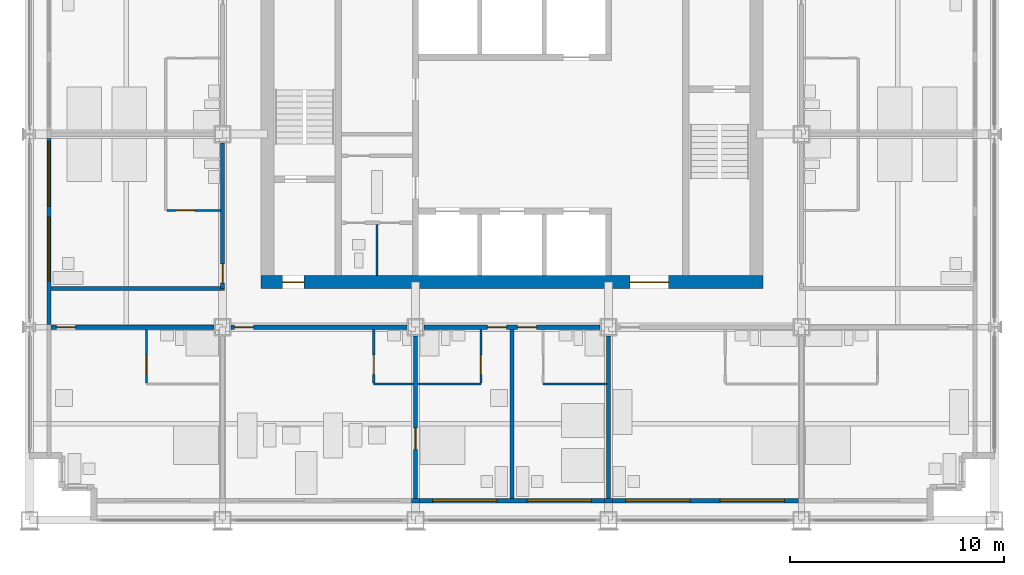
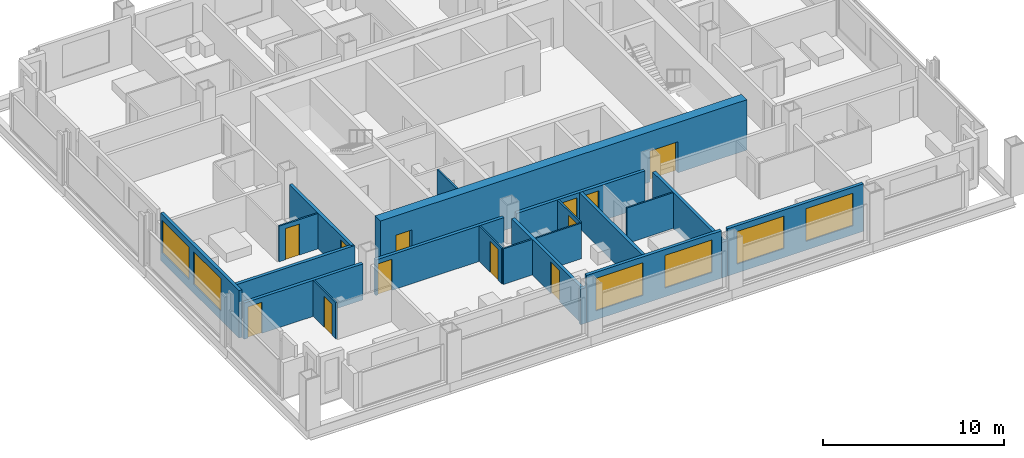
# One storey, part 9 of 16: 22 walls, 12 doors, 6 windows, 18 openings.
"""IFC4 building model written with IfcOpenShell, lengths in metres."""

import ifcopenshell
import ifcopenshell.guid

model = None  # the IFC model being written
_history = None  # IfcOwnerHistory: only IFC2X3 demands one
_inside = {}  # id of a spatial element -> (the spatial element, [elements in it])
_under = {}  # id of a project, library or spatial element -> (it, [spatial elements below it])
_declared = {}  # id of a project -> (the project, [libraries it declares])
_typed = {}  # id of a type object -> (the type object, [elements of that type])
_made_of = {}  # id of a material, layer set ... -> (it, [elements and type objects made of it])


def new_model(schema):
    """Start an empty IFC model of exactly this schema.

    Asked for "IFC4X3", IfcOpenShell would pick the latest addendum, in which some entities
    have other attributes; the version numbers below select the first issue.
    IFC2X3 requires an IfcOwnerHistory on every rooted entity: one is made here for all.
    """
    global model, _history
    if schema == "IFC4X3":
        model = ifcopenshell.file(schema_version=(4, 3, 0, 0))
    else:
        model = ifcopenshell.file(schema=schema)
    _inside.clear()
    _under.clear()
    _declared.clear()
    _typed.clear()
    _made_of.clear()
    _history = None
    if model.schema == "IFC2X3":
        org = make("IfcOrganization", Name="unknown")
        user = make(
            "IfcPersonAndOrganization",
            ThePerson=make("IfcPerson", FamilyName="unknown"),
            TheOrganization=org,
        )
        app = make(
            "IfcApplication",
            ApplicationDeveloper=org,
            Version="unknown",
            ApplicationFullName="unknown",
            ApplicationIdentifier="unknown",
        )
        _history = make(
            "IfcOwnerHistory",
            OwningUser=user,
            OwningApplication=app,
            ChangeAction="ADDED",
            CreationDate=0,
        )
    return model


def make(cls, **values):
    """One entity of the class cls with the attributes given. An attribute that is None is left unset."""
    return model.create_entity(
        cls, **{name: value for name, value in values.items() if value is not None}
    )


def rooted(cls, **values):
    """An entity with a GlobalId (a new one), such as an element, a storey or a relation."""
    return make(cls, GlobalId=ifcopenshell.guid.new(), OwnerHistory=_history, **values)


def si_unit(unit_type, name, prefix=None):
    """IfcSIUnit, for example si_unit("LENGTHUNIT", "METRE", prefix="MILLI")."""
    return make("IfcSIUnit", UnitType=unit_type, Prefix=prefix, Name=name)


def assignment(units):
    """IfcUnitAssignment: the units of a project."""
    return None if units is None else make("IfcUnitAssignment", Units=units)


def point(xyz):
    """IfcCartesianPoint."""
    return None if xyz is None else make("IfcCartesianPoint", Coordinates=xyz)


def direction(xyz):
    """IfcDirection."""
    return None if xyz is None else make("IfcDirection", DirectionRatios=xyz)


def frame(location, z_axis=None, x_axis=None):
    """IfcAxis2Placement3D, a coordinate frame: its origin and axes. An axis left out is left unset."""
    return make(
        "IfcAxis2Placement3D",
        Location=point(location),
        Axis=direction(z_axis),
        RefDirection=direction(x_axis),
    )


def frame_2d(location, x_axis=None):
    """IfcAxis2Placement2D, a coordinate frame in the plane: its origin and x axis."""
    return make(
        "IfcAxis2Placement2D", Location=point(location), RefDirection=direction(x_axis)
    )


def origin():
    """The frame at (0, 0, 0) with its axes left unset."""
    return frame((0.0, 0.0, 0.0))


def place(relative_to, where):
    """IfcLocalPlacement: puts the frame where relative to a parent placement (None: the world)."""
    return make(
        "IfcLocalPlacement", PlacementRelTo=relative_to, RelativePlacement=where
    )


def context(
    kind, dimensions, precision=None, world=None, true_north=None, identifier=None
):
    """IfcGeometricRepresentationContext, for example the 3D "Model" context."""
    return make(
        "IfcGeometricRepresentationContext",
        ContextIdentifier=identifier,
        ContextType=kind,
        CoordinateSpaceDimension=dimensions,
        Precision=precision,
        WorldCoordinateSystem=world,
        TrueNorth=true_north,
    )


def subcontext(parent, identifier, kind, view, scale=None):
    """IfcGeometricRepresentationSubContext, for example "Body" below "Model"."""
    return make(
        "IfcGeometricRepresentationSubContext",
        ContextIdentifier=identifier,
        ContextType=kind,
        ParentContext=parent,
        TargetScale=scale,
        TargetView=view,
    )


def project(units=None, contexts=None):
    """IfcProject with its units and contexts."""
    return rooted(
        "IfcProject",
        Name="project",
        RepresentationContexts=contexts,
        UnitsInContext=assignment(units),
    )


def spatial(cls, under=None, at=None, **own):
    """A site, building, storey or space (cls), placed at a placement, below another one or the project."""
    s = rooted(cls, ObjectPlacement=at, **own)
    if under is not None:
        _under.setdefault(under.id(), (under, []))[1].append(s)
    return s


def profile(cls, at=None, kind="AREA", **sizes):
    """A parametric profile (cls). Its sizes go by their IFC names, for example OverallWidth=200.0."""
    return make(cls, ProfileType=kind, Position=at, **sizes)


def rectangle(**sizes):
    """IfcRectangleProfileDef."""
    return profile("IfcRectangleProfileDef", **sizes)


def extrude(swept, where, along, depth):
    """IfcExtrudedAreaSolid: the profile swept, set in the frame where, extruded along a direction by depth."""
    return make(
        "IfcExtrudedAreaSolid",
        SweptArea=swept,
        Position=where,
        ExtrudedDirection=direction(along),
        Depth=depth,
    )


def shape(context_of_items, identifier, shape_type, items):
    """IfcShapeRepresentation: the items that make up one representation, for example the "Body"."""
    return make(
        "IfcShapeRepresentation",
        ContextOfItems=context_of_items,
        RepresentationIdentifier=identifier,
        RepresentationType=shape_type,
        Items=items,
    )


def material(Name=None, Category=None):
    """IfcMaterial."""
    return make("IfcMaterial", Name=Name, Category=Category)


def layer(
    of_material, thickness, ventilated=None, Name=None, Category=None, Priority=None
):
    """IfcMaterialLayer: one layer of a wall or slab, of a material (None: an air gap)."""
    return make(
        "IfcMaterialLayer",
        Material=of_material,
        LayerThickness=thickness,
        IsVentilated=ventilated,
        Name=Name,
        Category=Category,
        Priority=Priority,
    )


def layer_set(layers, Name=None):
    """IfcMaterialLayerSet."""
    return make("IfcMaterialLayerSet", MaterialLayers=layers, LayerSetName=Name)


def made_of(thing, what):
    """Note that an element or type object is made of a material, layer set ...; save() writes the relation."""
    if what is not None:
        _made_of.setdefault(what.id(), (what, []))[1].append(thing)
    return thing


def type_object(cls, material=None, **own):
    """A type object (cls), such as IfcWallType, which elements share."""
    return made_of(rooted(cls, **own), material)


def element(
    cls,
    number,
    at=None,
    inside=None,
    cuts=None,
    type_object=None,
    material=None,
    context=None,
    identifier="Body",
    shape_type=None,
    held_by="IfcProductDefinitionShape",
    body=None,
    shapes=None,
    **own,
):
    """One element of the class cls, such as IfcWall. Its Tag is "e" and its number.

    at: its placement. inside: the storey or other place that contains it. cuts: it is an
    opening in that element (IfcRelVoidsElement). A single representation is given by context,
    identifier, shape_type and body (its items); several are given by shapes. held_by: the class
    of the entity that holds the representations. save() writes the other relations.
    """
    e = rooted(cls, Tag="e%d" % number, ObjectPlacement=at, **own)
    if body is not None:
        shapes = [shape(context, identifier, shape_type, body)]
    if shapes is not None:
        e.Representation = make(held_by, Representations=shapes)
    if inside is not None:
        _inside.setdefault(inside.id(), (inside, []))[1].append(e)
    if cuts is not None:
        rooted(
            "IfcRelVoidsElement", RelatingBuildingElement=cuts, RelatedOpeningElement=e
        )
    if type_object is not None:
        _typed.setdefault(type_object.id(), (type_object, []))[1].append(e)
    return made_of(e, material)


def fill(opening, filler):
    """IfcRelFillsElement: the door or window that sits in an opening."""
    return rooted(
        "IfcRelFillsElement",
        RelatingOpeningElement=opening,
        RelatedBuildingElement=filler,
    )


def aggregate(whole, parts):
    """IfcRelAggregates: a whole, such as a stair, and the parts it consists of."""
    return rooted("IfcRelAggregates", RelatingObject=whole, RelatedObjects=parts)


def save(model, path):
    """Write the relations noted so far, then the file.

    IfcRelAggregates (storeys below a building ...), IfcRelContainedInSpatialStructure (elements
    in a storey), IfcRelDefinesByType, IfcRelAssociatesMaterial and IfcRelDeclares: one each for
    every whole, place, type object, material and project.
    """
    for whole, parts in _under.values():
        aggregate(whole, parts)
    for where, things in _inside.values():
        rooted(
            "IfcRelContainedInSpatialStructure",
            RelatedElements=things,
            RelatingStructure=where,
        )
    for kind, things in _typed.values():
        rooted("IfcRelDefinesByType", RelatedObjects=things, RelatingType=kind)
    for what, things in _made_of.values():
        rooted("IfcRelAssociatesMaterial", RelatedObjects=things, RelatingMaterial=what)
    for by, libraries in _declared.values():
        rooted("IfcRelDeclares", RelatingContext=by, RelatedDefinitions=libraries)
    model.write(path)


model = new_model("IFC4")

# Units and contexts
model_context = context("Model", 3, precision=1e-05, world=origin(), true_north=direction((0.0, 1.0)))
body_context = subcontext(model_context, "Body", "Model", "MODEL_VIEW")
ifc_project = project(units=[si_unit("LENGTHUNIT", "METRE"), si_unit("AREAUNIT", "SQUARE_METRE"), si_unit("VOLUMEUNIT", "CUBIC_METRE"), si_unit("PLANEANGLEUNIT", "RADIAN"), si_unit("MASSUNIT", "GRAM", prefix="KILO")], contexts=[model_context])

# Site, building, storey
site_placement = place(None, origin())
site = spatial("IfcSite", under=ifc_project, at=site_placement, CompositionType="ELEMENT")
building_placement = place(site_placement, origin())
building = spatial("IfcBuilding", under=site, at=building_placement, Name="Loomwork Tower", CompositionType="ELEMENT")
storey_placement = place(building_placement, frame((0.0, 0.0, 131.60009765625)))
storey = spatial("IfcBuildingStorey", under=building, at=storey_placement, Name="L35", CompositionType="ELEMENT", Elevation=131.60009765625)

# Wall, openings, doors
ifc_material_1 = material(Name="Concrete 14000 psi (97 MPa)", Category="concrete")
ifc_layer_1 = layer(ifc_material_1, 0.60009765625)
ifc_layer_set_1 = layer_set([ifc_layer_1], Name="Core shear wall 600")
wall_type_1 = type_object("IfcWallType", Name="Core shear wall 600", PredefinedType="SHEAR", material=ifc_layer_set_1)
wall_1_placement = place(storey_placement, frame((10.800048828125, 11.10009765625, 0.0), z_axis=(0.0, 0.0, 1.0), x_axis=(1.0, 0.0, 0.0)))
wall_1 = element("IfcWall", 1, at=wall_1_placement, inside=storey, type_object=wall_type_1, Name="Core wall south L35", PredefinedType="SHEAR", context=body_context, shape_type="SweptSolid", body=[
    extrude(rectangle(XDim=23.39990234375, YDim=0.60009765625, at=frame_2d((11.699951171875, 0.0))), origin(), (0.0, 0.0, 1.0), 3.39990234375),
])
opening_1_placement = place(wall_1_placement, frame((1.0, 0.0, 0.0)))
opening_1 = element("IfcOpeningElement", 2, at=opening_1_placement, cuts=wall_1, Name="Opening D4", PredefinedType="OPENING", context=body_context, shape_type="SweptSolid", body=[
    extrude(rectangle(XDim=1.0, YDim=2.10009765625, at=frame_2d((0.5, 1.050048828125))), frame((0.0, 0.31005859375, 0.0), z_axis=(0.0, -1.0, 0.0), x_axis=(1.0, 0.0, 0.0)), (0.0, 0.0, 1.0), 0.6201171875),
])
opening_2_placement = place(wall_1_placement, frame((17.199951171875, 0.0, 0.0)))
opening_2 = element("IfcOpeningElement", 3, at=opening_2_placement, cuts=wall_1, Name="Opening D6", PredefinedType="OPENING", context=body_context, shape_type="SweptSolid", body=[
    extrude(rectangle(XDim=1.800048828125, YDim=2.10009765625, at=frame_2d((0.89990234375, 1.050048828125))), frame((0.0, 0.31005859375, 0.0), z_axis=(0.0, -1.0, 0.0), x_axis=(1.0, 0.0, 0.0)), (0.0, 0.0, 1.0), 0.6201171875),
])
ifc_material_2 = material(Name="Hollow metal door and frame")
door_type_1 = type_object("IfcDoorType", Name="Lobby passage double door 1800", OperationType="DOUBLE_DOOR_SINGLE_SWING", PredefinedType="DOOR", material=ifc_material_2)
door_1_placement = place(opening_2_placement, origin())
door_1 = element("IfcDoor", 4, at=door_1_placement, inside=storey, type_object=door_type_1, Name="Lobby passage door south", OperationType="DOUBLE_DOOR_SINGLE_SWING", OverallHeight=2.10009765625, OverallWidth=1.800048828125, PredefinedType="DOOR", context=body_context, shape_type="SweptSolid", body=[
    extrude(rectangle(XDim=1.800048828125, YDim=2.10009765625, at=frame_2d((0.89990234375, 1.050048828125))), frame((0.0, 0.02490234375, 0.0), z_axis=(0.0, -1.0, 0.0), x_axis=(1.0, 0.0, 0.0)), (0.0, 0.0, 1.0), 0.050048828125),
])
fill(opening_2, door_1)
ifc_material_3 = material(Name="Hollow metal door and frame")
door_type_2 = type_object("IfcDoorType", Name="Stair door 1000", OperationType="SINGLE_SWING_RIGHT", PredefinedType="DOOR", material=ifc_material_3)
door_2_placement = place(opening_1_placement, origin())
door_2 = element("IfcDoor", 5, at=door_2_placement, inside=storey, type_object=door_type_2, Name="Stair A vestibule door", OperationType="SINGLE_SWING_LEFT", OverallHeight=2.10009765625, OverallWidth=1.0, PredefinedType="DOOR", context=body_context, shape_type="SweptSolid", body=[
    extrude(rectangle(XDim=1.0, YDim=2.10009765625, at=frame_2d((0.5, 1.050048828125))), frame((0.0, 0.02490234375, 0.0), z_axis=(0.0, -1.0, 0.0), x_axis=(1.0, 0.0, 0.0)), (0.0, 0.0, 1.0), 0.050048828125),
])
fill(opening_1, door_2)

# Wall, opening, door
ifc_material_4 = material(Name="Gypsum board on steel studs, one-hour", Category="steel")
ifc_layer_2 = layer(ifc_material_4, 0.199951171875)
ifc_layer_set_2 = layer_set([ifc_layer_2], Name="Corridor wall 200")
wall_type_2 = type_object("IfcWallType", Name="Corridor wall 200", PredefinedType="PARTITIONING", material=ifc_layer_set_2)
wall_2_placement = place(storey_placement, frame((1.0, 9.0, 0.0), z_axis=(0.0, 0.0, 1.0), x_axis=(1.0, 0.0, 0.0)))
wall_2 = element("IfcWall", 6, at=wall_2_placement, inside=storey, type_object=wall_type_2, Name="South corridor wall 1", PredefinedType="PARTITIONING", context=body_context, shape_type="SweptSolid", body=[
    extrude(rectangle(XDim=7.60009765625, YDim=0.199951171875, at=frame_2d((3.800048828125, 0.0))), origin(), (0.0, 0.0, 1.0), 2.43798828125),
])
opening_3_placement = place(wall_2_placement, frame((0.25, 0.0, 0.0)))
opening_3 = element("IfcOpeningElement", 7, at=opening_3_placement, cuts=wall_2, Name="Opening D1", PredefinedType="OPENING", context=body_context, shape_type="SweptSolid", body=[
    extrude(rectangle(XDim=0.89990234375, YDim=2.10009765625, at=frame_2d((0.449951171875, 1.050048828125))), frame((0.0, 0.10986328125, 0.0), z_axis=(0.0, -1.0, 0.0), x_axis=(1.0, 0.0, 0.0)), (0.0, 0.0, 1.0), 0.219970703125),
])
ifc_material_5 = material(Name="Hollow metal door and frame")
door_type_3 = type_object("IfcDoorType", Name="Guest room entry door 900", OperationType="SINGLE_SWING_LEFT", PredefinedType="DOOR", material=ifc_material_5)
door_3_placement = place(opening_3_placement, frame((0.89990234375, 0.0, 0.0), z_axis=(0.0, 0.0, 1.0), x_axis=(-1.0, 0.0, 0.0)))
door_3 = element("IfcDoor", 8, at=door_3_placement, inside=storey, type_object=door_type_3, Name="Guest room entry door L35 1", OperationType="SINGLE_SWING_RIGHT", OverallHeight=2.10009765625, OverallWidth=0.89990234375, PredefinedType="DOOR", context=body_context, shape_type="SweptSolid", body=[
    extrude(rectangle(XDim=0.89990234375, YDim=2.10009765625, at=frame_2d((0.449951171875, 1.050048828125))), frame((0.0, 0.02490234375, 0.0), z_axis=(0.0, -1.0, 0.0), x_axis=(1.0, 0.0, 0.0)), (0.0, 0.0, 1.0), 0.050048828125),
])
fill(opening_3, door_3)

wall_3_placement = place(storey_placement, frame((9.39990234375, 9.0, 0.0), z_axis=(0.0, 0.0, 1.0), x_axis=(1.0, 0.0, 0.0)))
wall_3 = element("IfcWall", 9, at=wall_3_placement, inside=storey, type_object=wall_type_2, Name="South corridor wall 2", PredefinedType="PARTITIONING", context=body_context, shape_type="SweptSolid", body=[
    extrude(rectangle(XDim=8.2001953125, YDim=0.199951171875, at=frame_2d((4.10009765625, 0.0))), origin(), (0.0, 0.0, 1.0), 2.40478515625),
])
opening_4_placement = place(wall_3_placement, frame((0.14990234375, 0.0, 0.0)))
opening_4 = element("IfcOpeningElement", 10, at=opening_4_placement, cuts=wall_3, Name="Opening D1", PredefinedType="OPENING", context=body_context, shape_type="SweptSolid", body=[
    extrude(rectangle(XDim=0.89990234375, YDim=2.10009765625, at=frame_2d((0.449951171875, 1.050048828125))), frame((0.0, 0.10986328125, 0.0), z_axis=(0.0, -1.0, 0.0), x_axis=(1.0, 0.0, 0.0)), (0.0, 0.0, 1.0), 0.219970703125),
])
door_4_placement = place(opening_4_placement, frame((0.89990234375, 0.0, 0.0), z_axis=(0.0, 0.0, 1.0), x_axis=(-1.0, 0.0, 0.0)))
door_4 = element("IfcDoor", 11, at=door_4_placement, inside=storey, type_object=door_type_3, Name="Guest room entry door L35 2", OperationType="SINGLE_SWING_RIGHT", OverallHeight=2.10009765625, OverallWidth=0.89990234375, PredefinedType="DOOR", context=body_context, shape_type="SweptSolid", body=[
    extrude(rectangle(XDim=0.89990234375, YDim=2.10009765625, at=frame_2d((0.449951171875, 1.050048828125))), frame((0.0, 0.02490234375, 0.0), z_axis=(0.0, -1.0, 0.0), x_axis=(1.0, 0.0, 0.0)), (0.0, 0.0, 1.0), 0.050048828125),
])
fill(opening_4, door_4)

# Wall, openings, doors
wall_4_placement = place(storey_placement, frame((18.39990234375, 9.0, 0.0), z_axis=(0.0, 0.0, 1.0), x_axis=(1.0, 0.0, 0.0)))
wall_4 = element("IfcWall", 12, at=wall_4_placement, inside=storey, type_object=wall_type_2, Name="South corridor wall 3", PredefinedType="PARTITIONING", context=body_context, shape_type="SweptSolid", body=[
    extrude(rectangle(XDim=8.2001953125, YDim=0.199951171875, at=frame_2d((4.10009765625, 0.0))), origin(), (0.0, 0.0, 1.0), 2.40478515625),
])
opening_5_placement = place(wall_4_placement, frame((2.949951171875, 0.0, 0.0)))
opening_5 = element("IfcOpeningElement", 13, at=opening_5_placement, cuts=wall_4, Name="Opening D1", PredefinedType="OPENING", context=body_context, shape_type="SweptSolid", body=[
    extrude(rectangle(XDim=0.89990234375, YDim=2.10009765625, at=frame_2d((0.449951171875, 1.050048828125))), frame((0.0, 0.10986328125, 0.0), z_axis=(0.0, -1.0, 0.0), x_axis=(1.0, 0.0, 0.0)), (0.0, 0.0, 1.0), 0.219970703125),
])
opening_6_placement = place(wall_4_placement, frame((4.35009765625, 0.0, 0.0)))
opening_6 = element("IfcOpeningElement", 14, at=opening_6_placement, cuts=wall_4, Name="Opening D1", PredefinedType="OPENING", context=body_context, shape_type="SweptSolid", body=[
    extrude(rectangle(XDim=0.89990234375, YDim=2.10009765625, at=frame_2d((0.449951171875, 1.050048828125))), frame((0.0, 0.10986328125, 0.0), z_axis=(0.0, -1.0, 0.0), x_axis=(1.0, 0.0, 0.0)), (0.0, 0.0, 1.0), 0.219970703125),
])
door_5_placement = place(opening_5_placement, frame((0.89990234375, 0.0, 0.0), z_axis=(0.0, 0.0, 1.0), x_axis=(-1.0, 0.0, 0.0)))
door_5 = element("IfcDoor", 15, at=door_5_placement, inside=storey, type_object=door_type_3, Name="Guest room entry door L35 3", OperationType="SINGLE_SWING_LEFT", OverallHeight=2.10009765625, OverallWidth=0.89990234375, PredefinedType="DOOR", context=body_context, shape_type="SweptSolid", body=[
    extrude(rectangle(XDim=0.89990234375, YDim=2.10009765625, at=frame_2d((0.449951171875, 1.050048828125))), frame((0.0, 0.02490234375, 0.0), z_axis=(0.0, -1.0, 0.0), x_axis=(1.0, 0.0, 0.0)), (0.0, 0.0, 1.0), 0.050048828125),
])
fill(opening_5, door_5)
door_6_placement = place(opening_6_placement, frame((0.89990234375, 0.0, 0.0), z_axis=(0.0, 0.0, 1.0), x_axis=(-1.0, 0.0, 0.0)))
door_6 = element("IfcDoor", 16, at=door_6_placement, inside=storey, type_object=door_type_3, Name="Guest room entry door L35 4", OperationType="SINGLE_SWING_RIGHT", OverallHeight=2.10009765625, OverallWidth=0.89990234375, PredefinedType="DOOR", context=body_context, shape_type="SweptSolid", body=[
    extrude(rectangle(XDim=0.89990234375, YDim=2.10009765625, at=frame_2d((0.449951171875, 1.050048828125))), frame((0.0, 0.02490234375, 0.0), z_axis=(0.0, -1.0, 0.0), x_axis=(1.0, 0.0, 0.0)), (0.0, 0.0, 1.0), 0.050048828125),
])
fill(opening_6, door_6)

# Wall, opening, door
wall_5_placement = place(storey_placement, frame((9.0, 10.800048828125, 0.0), z_axis=(0.0, 0.0, 1.0), x_axis=(0.0, 1.0, 0.0)))
wall_5 = element("IfcWall", 17, at=wall_5_placement, inside=storey, type_object=wall_type_2, Name="West corridor wall 1", PredefinedType="PARTITIONING", context=body_context, shape_type="SweptSolid", body=[
    extrude(rectangle(XDim=6.800048828125, YDim=0.199951171875, at=frame_2d((3.39990234375, 0.0))), origin(), (0.0, 0.0, 1.0), 2.40478515625),
])
opening_7_placement = place(wall_5_placement, frame((0.25, 0.0, 0.0)))
opening_7 = element("IfcOpeningElement", 18, at=opening_7_placement, cuts=wall_5, Name="Opening D1", PredefinedType="OPENING", context=body_context, shape_type="SweptSolid", body=[
    extrude(rectangle(XDim=0.89990234375, YDim=2.10009765625, at=frame_2d((0.449951171875, 1.050048828125))), frame((0.0, 0.10986328125, 0.0), z_axis=(0.0, -1.0, 0.0), x_axis=(1.0, 0.0, 0.0)), (0.0, 0.0, 1.0), 0.219970703125),
])
door_7_placement = place(opening_7_placement, origin())
door_7 = element("IfcDoor", 19, at=door_7_placement, inside=storey, type_object=door_type_3, Name="Guest room entry door L35 14", OperationType="SINGLE_SWING_LEFT", OverallHeight=2.10009765625, OverallWidth=0.89990234375, PredefinedType="DOOR", context=body_context, shape_type="SweptSolid", body=[
    extrude(rectangle(XDim=0.89990234375, YDim=2.10009765625, at=frame_2d((0.449951171875, 1.050048828125))), frame((0.0, 0.02490234375, 0.0), z_axis=(0.0, -1.0, 0.0), x_axis=(1.0, 0.0, 0.0)), (0.0, 0.0, 1.0), 0.050048828125),
])
fill(opening_7, door_7)

# Wall
wall_6_placement = place(storey_placement, frame((1.0, 10.800048828125, 0.0), z_axis=(0.0, 0.0, 1.0), x_axis=(1.0, 0.0, 0.0)))
element("IfcWall", 20, at=wall_6_placement, inside=storey, type_object=wall_type_2, Name="West band end wall S", PredefinedType="PARTITIONING", context=body_context, shape_type="SweptSolid", body=[
    extrude(rectangle(XDim=8.10009765625, YDim=0.199951171875, at=frame_2d((4.050048828125, 0.0))), origin(), (0.0, 0.0, 1.0), 2.40380859375),
])

# Wall, opening, door
ifc_material_6 = material(Name="Cement board on steel studs", Category="steel")
ifc_layer_3 = layer(ifc_material_6, 0.10009765625)
ifc_layer_set_3 = layer_set([ifc_layer_3], Name="En-suite partition 100")
wall_type_3 = type_object("IfcWallType", Name="En-suite partition 100", PredefinedType="PARTITIONING", material=ifc_layer_set_3)
wall_7_placement = place(storey_placement, frame((5.449951171875, 8.89990234375, 0.0), z_axis=(0.0, 0.0, 1.0), x_axis=(0.0, -1.0, 0.0)))
wall_7 = element("IfcWall", 21, at=wall_7_placement, inside=storey, type_object=wall_type_3, Name="En-suite side wall L35 room 1", PredefinedType="PARTITIONING", context=body_context, shape_type="SweptSolid", body=[
    extrude(rectangle(XDim=2.5, YDim=0.10009765625, at=frame_2d((1.25, 0.0))), origin(), (0.0, 0.0, 1.0), 2.43798828125),
])
opening_8_placement = place(wall_7_placement, frame((1.199951171875, 0.0, 0.0)))
opening_8 = element("IfcOpeningElement", 22, at=opening_8_placement, cuts=wall_7, Name="Opening D3", PredefinedType="OPENING", context=body_context, shape_type="SweptSolid", body=[
    extrude(rectangle(XDim=0.89990234375, YDim=2.10009765625, at=frame_2d((0.449951171875, 1.050048828125))), frame((0.0, 0.06005859375, 0.0), z_axis=(0.0, -1.0, 0.0), x_axis=(1.0, 0.0, 0.0)), (0.0, 0.0, 1.0), 0.1201171875),
])
ifc_material_7 = material(Name="Hollow metal door and frame")
door_type_4 = type_object("IfcDoorType", Name="Accessible en-suite door 900", OperationType="SLIDING_TO_LEFT", PredefinedType="DOOR", material=ifc_material_7)
door_8_placement = place(opening_8_placement, origin())
door_8 = element("IfcDoor", 23, at=door_8_placement, inside=storey, type_object=door_type_4, Name="Accessible en-suite door room 1", OperationType="SLIDING_TO_LEFT", OverallHeight=2.10009765625, OverallWidth=0.89990234375, PredefinedType="DOOR", context=body_context, shape_type="SweptSolid", body=[
    extrude(rectangle(XDim=0.89990234375, YDim=2.10009765625, at=frame_2d((0.449951171875, 1.050048828125))), frame((0.0, 0.02490234375, 0.0), z_axis=(0.0, -1.0, 0.0), x_axis=(1.0, 0.0, 0.0)), (0.0, 0.0, 1.0), 0.050048828125),
])
fill(opening_8, door_8)

# Wall
wall_8_placement = place(storey_placement, frame((16.050048828125, 6.35009765625, 0.0), z_axis=(0.0, 0.0, 1.0), x_axis=(1.0, 0.0, 0.0)))
element("IfcWall", 24, at=wall_8_placement, inside=storey, type_object=wall_type_3, Name="En-suite wall L35 room 2", PredefinedType="PARTITIONING", context=body_context, shape_type="SweptSolid", body=[
    extrude(rectangle(XDim=1.849853515625, YDim=0.10009765625, at=frame_2d((0.9248046875, 0.0))), origin(), (0.0, 0.0, 1.0), 2.40380859375),
])

# Wall, opening, door
wall_9_placement = place(storey_placement, frame((16.050048828125, 8.89990234375, 0.0), z_axis=(0.0, 0.0, 1.0), x_axis=(0.0, -1.0, 0.0)))
wall_9 = element("IfcWall", 25, at=wall_9_placement, inside=storey, type_object=wall_type_3, Name="En-suite side wall L35 room 2", PredefinedType="PARTITIONING", context=body_context, shape_type="SweptSolid", body=[
    extrude(rectangle(XDim=2.5, YDim=0.10009765625, at=frame_2d((1.25, 0.0))), origin(), (0.0, 0.0, 1.0), 2.40380859375),
])
opening_9_placement = place(wall_9_placement, frame((1.199951171875, 0.0, 0.0)))
opening_9 = element("IfcOpeningElement", 26, at=opening_9_placement, cuts=wall_9, Name="Opening D2", PredefinedType="OPENING", context=body_context, shape_type="SweptSolid", body=[
    extrude(rectangle(XDim=0.89990234375, YDim=2.10009765625, at=frame_2d((0.449951171875, 1.050048828125))), frame((0.0, 0.06005859375, 0.0), z_axis=(0.0, -1.0, 0.0), x_axis=(1.0, 0.0, 0.0)), (0.0, 0.0, 1.0), 0.1201171875),
])
ifc_material_8 = material(Name="Hollow metal door and frame")
door_type_5 = type_object("IfcDoorType", Name="En-suite door 900", OperationType="SINGLE_SWING_LEFT", PredefinedType="DOOR", material=ifc_material_8)
door_9_placement = place(opening_9_placement, origin())
door_9 = element("IfcDoor", 27, at=door_9_placement, inside=storey, type_object=door_type_5, Name="Suite powder room door room 2", OperationType="SINGLE_SWING_RIGHT", OverallHeight=2.10009765625, OverallWidth=0.89990234375, PredefinedType="DOOR", context=body_context, shape_type="SweptSolid", body=[
    extrude(rectangle(XDim=0.89990234375, YDim=2.10009765625, at=frame_2d((0.449951171875, 1.050048828125))), frame((0.0, 0.02490234375, 0.0), z_axis=(0.0, -1.0, 0.0), x_axis=(1.0, 0.0, 0.0)), (0.0, 0.0, 1.0), 0.050048828125),
])
fill(opening_9, door_9)

# Wall
wall_10_placement = place(storey_placement, frame((18.10009765625, 6.35009765625, 0.0), z_axis=(0.0, 0.0, 1.0), x_axis=(1.0, 0.0, 0.0)))
element("IfcWall", 28, at=wall_10_placement, inside=storey, type_object=wall_type_3, Name="En-suite wall L35 room 3", PredefinedType="PARTITIONING", context=body_context, shape_type="SweptSolid", body=[
    extrude(rectangle(XDim=2.949951171875, YDim=0.10009765625, at=frame_2d((1.47509765625, 0.0))), origin(), (0.0, 0.0, 1.0), 2.40380859375),
])

# Wall, opening, door
wall_11_placement = place(storey_placement, frame((21.050048828125, 8.89990234375, 0.0), z_axis=(0.0, 0.0, 1.0), x_axis=(0.0, -1.0, 0.0)))
wall_11 = element("IfcWall", 29, at=wall_11_placement, inside=storey, type_object=wall_type_3, Name="En-suite side wall L35 room 3", PredefinedType="PARTITIONING", context=body_context, shape_type="SweptSolid", body=[
    extrude(rectangle(XDim=2.5, YDim=0.10009765625, at=frame_2d((1.25, 0.0))), origin(), (0.0, 0.0, 1.0), 2.40380859375),
])
opening_10_placement = place(wall_11_placement, frame((1.199951171875, 0.0, 0.0)))
opening_10 = element("IfcOpeningElement", 30, at=opening_10_placement, cuts=wall_11, Name="Opening D2", PredefinedType="OPENING", context=body_context, shape_type="SweptSolid", body=[
    extrude(rectangle(XDim=0.89990234375, YDim=2.10009765625, at=frame_2d((0.449951171875, 1.050048828125))), frame((0.0, 0.06005859375, 0.0), z_axis=(0.0, -1.0, 0.0), x_axis=(1.0, 0.0, 0.0)), (0.0, 0.0, 1.0), 0.1201171875),
])
door_10_placement = place(opening_10_placement, frame((0.89990234375, 0.0, 0.0), z_axis=(0.0, 0.0, 1.0), x_axis=(-1.0, 0.0, 0.0)))
door_10 = element("IfcDoor", 31, at=door_10_placement, inside=storey, type_object=door_type_5, Name="En-suite door room 3", OperationType="SINGLE_SWING_LEFT", OverallHeight=2.10009765625, OverallWidth=0.89990234375, PredefinedType="DOOR", context=body_context, shape_type="SweptSolid", body=[
    extrude(rectangle(XDim=0.89990234375, YDim=2.10009765625, at=frame_2d((0.449951171875, 1.050048828125))), frame((0.0, 0.02490234375, 0.0), z_axis=(0.0, -1.0, 0.0), x_axis=(1.0, 0.0, 0.0)), (0.0, 0.0, 1.0), 0.050048828125),
])
fill(opening_10, door_10)

# Wall
wall_12_placement = place(storey_placement, frame((23.949951171875, 6.35009765625, 0.0), z_axis=(0.0, 0.0, 1.0), x_axis=(1.0, 0.0, 0.0)))
element("IfcWall", 32, at=wall_12_placement, inside=storey, type_object=wall_type_3, Name="En-suite wall L35 room 4", PredefinedType="PARTITIONING", context=body_context, shape_type="SweptSolid", body=[
    extrude(rectangle(XDim=2.949951171875, YDim=0.10009765625, at=frame_2d((1.47509765625, 0.0))), origin(), (0.0, 0.0, 1.0), 2.40380859375),
])

# Wall, opening, door
wall_13_placement = place(storey_placement, frame((8.89990234375, 14.449951171875, 0.0), z_axis=(0.0, 0.0, 1.0), x_axis=(-1.0, 0.0, 0.0)))
wall_13 = element("IfcWall", 33, at=wall_13_placement, inside=storey, type_object=wall_type_3, Name="En-suite side wall L35 room 14", PredefinedType="PARTITIONING", context=body_context, shape_type="SweptSolid", body=[
    extrude(rectangle(XDim=2.5, YDim=0.10009765625, at=frame_2d((1.25, 0.0))), origin(), (0.0, 0.0, 1.0), 2.40380859375),
])
opening_11_placement = place(wall_13_placement, frame((1.199951171875, 0.0, 0.0)))
opening_11 = element("IfcOpeningElement", 34, at=opening_11_placement, cuts=wall_13, Name="Opening D2", PredefinedType="OPENING", context=body_context, shape_type="SweptSolid", body=[
    extrude(rectangle(XDim=0.89990234375, YDim=2.10009765625, at=frame_2d((0.449951171875, 1.050048828125))), frame((0.0, 0.06005859375, 0.0), z_axis=(0.0, -1.0, 0.0), x_axis=(1.0, 0.0, 0.0)), (0.0, 0.0, 1.0), 0.1201171875),
])
door_11_placement = place(opening_11_placement, frame((0.89990234375, 0.0, 0.0), z_axis=(0.0, 0.0, 1.0), x_axis=(-1.0, 0.0, 0.0)))
door_11 = element("IfcDoor", 35, at=door_11_placement, inside=storey, type_object=door_type_5, Name="En-suite door room 14", OperationType="SINGLE_SWING_LEFT", OverallHeight=2.10009765625, OverallWidth=0.89990234375, PredefinedType="DOOR", context=body_context, shape_type="SweptSolid", body=[
    extrude(rectangle(XDim=0.89990234375, YDim=2.10009765625, at=frame_2d((0.449951171875, 1.050048828125))), frame((0.0, 0.02490234375, 0.0), z_axis=(0.0, -1.0, 0.0), x_axis=(1.0, 0.0, 0.0)), (0.0, 0.0, 1.0), 0.050048828125),
])
fill(opening_11, door_11)

# Wall
wall_14_placement = place(storey_placement, frame((16.199951171875, 11.39990234375, 0.0), z_axis=(0.0, 0.0, 1.0), x_axis=(0.0, 1.0, 0.0)))
element("IfcWall", 36, at=wall_14_placement, inside=storey, type_object=wall_type_3, Name="Back-of-house partition L35 2", PredefinedType="PARTITIONING", context=body_context, shape_type="SweptSolid", body=[
    extrude(rectangle(XDim=2.400146484375, YDim=0.10009765625, at=frame_2d((1.2001953125, 0.0))), origin(), (0.0, 0.0, 1.0), 3.199951171875),
])

# Wall, opening, door
ifc_material_9 = material(Name="Gypsum board on steel studs, acoustic", Category="steel")
ifc_layer_4 = layer(ifc_material_9, 0.199951171875)
ifc_layer_set_4 = layer_set([ifc_layer_4], Name="Guest room party wall 200")
wall_type_4 = type_object("IfcWallType", Name="Guest room party wall 200", PredefinedType="PARTITIONING", material=ifc_layer_set_4)
wall_15_placement = place(storey_placement, frame((18.0, 8.60009765625, 0.0), z_axis=(0.0, 0.0, 1.0), x_axis=(0.0, -1.0, 0.0)))
wall_15 = element("IfcWall", 37, at=wall_15_placement, inside=storey, type_object=wall_type_4, Name="Guest room party wall S 18", PredefinedType="PARTITIONING", context=body_context, shape_type="SweptSolid", body=[
    extrude(rectangle(XDim=7.60009765625, YDim=0.199951171875, at=frame_2d((3.800048828125, 0.0))), origin(), (0.0, 0.0, 1.0), 2.40478515625),
])
opening_12_placement = place(wall_15_placement, frame((4.300048828125, 0.0, 0.0)))
opening_12 = element("IfcOpeningElement", 38, at=opening_12_placement, cuts=wall_15, Name="Opening D7", PredefinedType="OPENING", context=body_context, shape_type="SweptSolid", body=[
    extrude(rectangle(XDim=1.0, YDim=2.10009765625, at=frame_2d((0.5, 1.050048828125))), frame((0.0, 0.10986328125, 0.0), z_axis=(0.0, -1.0, 0.0), x_axis=(1.0, 0.0, 0.0)), (0.0, 0.0, 1.0), 0.219970703125),
])
ifc_material_10 = material(Name="Hollow metal door and frame")
door_type_6 = type_object("IfcDoorType", Name="Room door 1000", OperationType="SINGLE_SWING_LEFT", PredefinedType="DOOR", material=ifc_material_10)
door_12_placement = place(opening_12_placement, origin())
door_12 = element("IfcDoor", 39, at=door_12_placement, inside=storey, type_object=door_type_6, Name="Suite connecting door L35 S 18", OperationType="SINGLE_SWING_LEFT", OverallHeight=2.10009765625, OverallWidth=1.0, PredefinedType="DOOR", context=body_context, shape_type="SweptSolid", body=[
    extrude(rectangle(XDim=1.0, YDim=2.10009765625, at=frame_2d((0.5, 1.050048828125))), frame((0.0, 0.02490234375, 0.0), z_axis=(0.0, -1.0, 0.0), x_axis=(1.0, 0.0, 0.0)), (0.0, 0.0, 1.0), 0.050048828125),
])
fill(opening_12, door_12)

# Walls
wall_16_placement = place(storey_placement, frame((22.5, 8.89990234375, 0.0), z_axis=(0.0, 0.0, 1.0), x_axis=(0.0, -1.0, 0.0)))
element("IfcWall", 40, at=wall_16_placement, inside=storey, type_object=wall_type_4, Name="Guest room party wall S 22.5", PredefinedType="PARTITIONING", context=body_context, shape_type="SweptSolid", body=[
    extrude(rectangle(XDim=7.89990234375, YDim=0.199951171875, at=frame_2d((3.949951171875, 0.0))), origin(), (0.0, 0.0, 1.0), 2.40380859375),
])
wall_17_placement = place(storey_placement, frame((27.0, 8.60009765625, 0.0), z_axis=(0.0, 0.0, 1.0), x_axis=(0.0, -1.0, 0.0)))
element("IfcWall", 41, at=wall_17_placement, inside=storey, type_object=wall_type_4, Name="Guest room party wall S 27", PredefinedType="PARTITIONING", context=body_context, shape_type="SweptSolid", body=[
    extrude(rectangle(XDim=7.60009765625, YDim=0.199951171875, at=frame_2d((3.800048828125, 0.0))), origin(), (0.0, 0.0, 1.0), 2.40478515625),
])
ifc_material_11 = material(Name="Insulated steel stud wall with gypsum lining", Category="steel")
ifc_layer_5 = layer(ifc_material_11, 0.199951171875)
ifc_layer_set_5 = layer_set([ifc_layer_5], Name="Inner skin wall 200")
wall_type_5 = type_object("IfcWallType", Name="Inner skin wall 200", PredefinedType="SOLIDWALL", material=ifc_layer_set_5)
wall_18_placement = place(storey_placement, frame((17.80615234375, 0.89990234375, 0.0), z_axis=(0.0, 0.0, 1.0), x_axis=(1.0, 0.0, 0.0)))
element("IfcWall", 42, at=wall_18_placement, inside=storey, type_object=wall_type_5, Name="Inner skin wall S bay 4", PredefinedType="SOLIDWALL", context=body_context, shape_type="SweptSolid", body=[
    extrude(rectangle(XDim=0.3876953125, YDim=0.199951171875, at=frame_2d((0.19384765625, 0.0))), origin(), (0.0, 0.0, 1.0), 2.40380859375),
])

# Wall, openings, windows
wall_19_placement = place(storey_placement, frame((18.19384765625, 0.89990234375, 0.0), z_axis=(0.0, 0.0, 1.0), x_axis=(1.0, 0.0, 0.0)))
wall_19 = element("IfcWall", 43, at=wall_19_placement, inside=storey, type_object=wall_type_5, Name="Inner skin wall S bay 5", PredefinedType="SOLIDWALL", context=body_context, shape_type="SweptSolid", body=[
    extrude(rectangle(XDim=8.6123046875, YDim=0.199951171875, at=frame_2d((4.30615234375, 0.0))), origin(), (0.0, 0.0, 1.0), 3.199951171875),
])
opening_13_placement = place(wall_19_placement, frame((0.606201171875, 0.0, 0.60009765625)))
opening_13 = element("IfcOpeningElement", 44, at=opening_13_placement, cuts=wall_19, Name="Opening CH1", PredefinedType="OPENING", context=body_context, shape_type="SweptSolid", body=[
    extrude(rectangle(XDim=3.0, YDim=2.199951171875, at=frame_2d((1.5, 1.10009765625))), frame((0.0, 0.10986328125, 0.0), z_axis=(0.0, -1.0, 0.0), x_axis=(1.0, 0.0, 0.0)), (0.0, 0.0, 1.0), 0.219970703125),
])
opening_14_placement = place(wall_19_placement, frame((5.006103515625, 0.0, 0.60009765625)))
opening_14 = element("IfcOpeningElement", 45, at=opening_14_placement, cuts=wall_19, Name="Opening CH1", PredefinedType="OPENING", context=body_context, shape_type="SweptSolid", body=[
    extrude(rectangle(XDim=3.0, YDim=2.199951171875, at=frame_2d((1.5, 1.10009765625))), frame((0.0, 0.10986328125, 0.0), z_axis=(0.0, -1.0, 0.0), x_axis=(1.0, 0.0, 0.0)), (0.0, 0.0, 1.0), 0.219970703125),
])
ifc_material_12 = material(Name="Aluminium frame with clear insulated glass", Category="aluminium")
window_type = type_object("IfcWindowType", Name="Chicago window 3000", PartitioningType="TRIPLE_PANEL_VERTICAL", PredefinedType="WINDOW", material=ifc_material_12)
window_1_placement = place(opening_13_placement, origin())
window_1 = element("IfcWindow", 46, at=window_1_placement, inside=storey, type_object=window_type, Name="Chicago window L35 bay 3", OverallHeight=2.199951171875, OverallWidth=3.0, PartitioningType="TRIPLE_PANEL_VERTICAL", PredefinedType="WINDOW", context=body_context, shape_type="SweptSolid", body=[
    extrude(rectangle(XDim=3.0, YDim=2.199951171875, at=frame_2d((1.5, 1.10009765625))), frame((0.0, 0.030029296875, 0.0), z_axis=(0.0, -1.0, 0.0), x_axis=(1.0, 0.0, 0.0)), (0.0, 0.0, 1.0), 0.06005859375),
])
fill(opening_13, window_1)
window_2_placement = place(opening_14_placement, origin())
window_2 = element("IfcWindow", 47, at=window_2_placement, inside=storey, type_object=window_type, Name="Chicago window L35 bay 3", OverallHeight=2.199951171875, OverallWidth=3.0, PartitioningType="TRIPLE_PANEL_VERTICAL", PredefinedType="WINDOW", context=body_context, shape_type="SweptSolid", body=[
    extrude(rectangle(XDim=3.0, YDim=2.199951171875, at=frame_2d((1.5, 1.10009765625))), frame((0.0, 0.030029296875, 0.0), z_axis=(0.0, -1.0, 0.0), x_axis=(1.0, 0.0, 0.0)), (0.0, 0.0, 1.0), 0.06005859375),
])
fill(opening_14, window_2)

# Wall
wall_20_placement = place(storey_placement, frame((26.80615234375, 0.89990234375, 0.0), z_axis=(0.0, 0.0, 1.0), x_axis=(1.0, 0.0, 0.0)))
element("IfcWall", 48, at=wall_20_placement, inside=storey, type_object=wall_type_5, Name="Inner skin wall S bay 6", PredefinedType="SOLIDWALL", context=body_context, shape_type="SweptSolid", body=[
    extrude(rectangle(XDim=0.3876953125, YDim=0.199951171875, at=frame_2d((0.19384765625, 0.0))), origin(), (0.0, 0.0, 1.0), 2.40380859375),
])

# Wall, openings, windows
wall_21_placement = place(storey_placement, frame((27.19384765625, 0.89990234375, 0.0), z_axis=(0.0, 0.0, 1.0), x_axis=(1.0, 0.0, 0.0)))
wall_21 = element("IfcWall", 49, at=wall_21_placement, inside=storey, type_object=wall_type_5, Name="Inner skin wall S bay 7", PredefinedType="SOLIDWALL", context=body_context, shape_type="SweptSolid", body=[
    extrude(rectangle(XDim=8.670654296875, YDim=0.199951171875, at=frame_2d((4.33544921875, 0.0))), origin(), (0.0, 0.0, 1.0), 3.199951171875),
])
opening_15_placement = place(wall_21_placement, frame((0.606201171875, 0.0, 0.60009765625)))
opening_15 = element("IfcOpeningElement", 50, at=opening_15_placement, cuts=wall_21, Name="Opening CH1", PredefinedType="OPENING", context=body_context, shape_type="SweptSolid", body=[
    extrude(rectangle(XDim=3.0, YDim=2.199951171875, at=frame_2d((1.5, 1.10009765625))), frame((0.0, 0.10986328125, 0.0), z_axis=(0.0, -1.0, 0.0), x_axis=(1.0, 0.0, 0.0)), (0.0, 0.0, 1.0), 0.219970703125),
])
opening_16_placement = place(wall_21_placement, frame((5.006103515625, 0.0, 0.60009765625)))
opening_16 = element("IfcOpeningElement", 51, at=opening_16_placement, cuts=wall_21, Name="Opening CH1", PredefinedType="OPENING", context=body_context, shape_type="SweptSolid", body=[
    extrude(rectangle(XDim=3.0, YDim=2.199951171875, at=frame_2d((1.5, 1.10009765625))), frame((0.0, 0.10986328125, 0.0), z_axis=(0.0, -1.0, 0.0), x_axis=(1.0, 0.0, 0.0)), (0.0, 0.0, 1.0), 0.219970703125),
])
window_3_placement = place(opening_15_placement, origin())
window_3 = element("IfcWindow", 52, at=window_3_placement, inside=storey, type_object=window_type, Name="Chicago window L35 bay 4", OverallHeight=2.199951171875, OverallWidth=3.0, PartitioningType="TRIPLE_PANEL_VERTICAL", PredefinedType="WINDOW", context=body_context, shape_type="SweptSolid", body=[
    extrude(rectangle(XDim=3.0, YDim=2.199951171875, at=frame_2d((1.5, 1.10009765625))), frame((0.0, 0.030029296875, 0.0), z_axis=(0.0, -1.0, 0.0), x_axis=(1.0, 0.0, 0.0)), (0.0, 0.0, 1.0), 0.06005859375),
])
fill(opening_15, window_3)
window_4_placement = place(opening_16_placement, origin())
window_4 = element("IfcWindow", 53, at=window_4_placement, inside=storey, type_object=window_type, Name="Chicago window L35 bay 4", OverallHeight=2.199951171875, OverallWidth=3.0, PartitioningType="TRIPLE_PANEL_VERTICAL", PredefinedType="WINDOW", context=body_context, shape_type="SweptSolid", body=[
    extrude(rectangle(XDim=3.0, YDim=2.199951171875, at=frame_2d((1.5, 1.10009765625))), frame((0.0, 0.030029296875, 0.0), z_axis=(0.0, -1.0, 0.0), x_axis=(1.0, 0.0, 0.0)), (0.0, 0.0, 1.0), 0.06005859375),
])
fill(opening_16, window_4)

wall_22_placement = place(storey_placement, frame((0.89990234375, 9.13525390625, 0.0), z_axis=(0.0, 0.0, 1.0), x_axis=(0.0, 1.0, 0.0)))
wall_22 = element("IfcWall", 54, at=wall_22_placement, inside=storey, type_object=wall_type_5, Name="Inner skin wall W bay 5", PredefinedType="SOLIDWALL", context=body_context, shape_type="SweptSolid", body=[
    extrude(rectangle(XDim=8.6708984375, YDim=0.199951171875, at=frame_2d((4.33544921875, 0.0))), origin(), (0.0, 0.0, 1.0), 3.199951171875),
])
opening_17_placement = place(wall_22_placement, frame((2.0146484375, 0.0, 0.60009765625)))
opening_17 = element("IfcOpeningElement", 55, at=opening_17_placement, cuts=wall_22, Name="Opening CH1", PredefinedType="OPENING", context=body_context, shape_type="SweptSolid", body=[
    extrude(rectangle(XDim=3.0, YDim=2.199951171875, at=frame_2d((1.5, 1.10009765625))), frame((0.0, 0.10986328125, 0.0), z_axis=(0.0, -1.0, 0.0), x_axis=(1.0, 0.0, 0.0)), (0.0, 0.0, 1.0), 0.219970703125),
])
opening_18_placement = place(wall_22_placement, frame((5.5146484375, 0.0, 0.60009765625)))
opening_18 = element("IfcOpeningElement", 56, at=opening_18_placement, cuts=wall_22, Name="Opening CH1", PredefinedType="OPENING", context=body_context, shape_type="SweptSolid", body=[
    extrude(rectangle(XDim=3.0, YDim=2.199951171875, at=frame_2d((1.5, 1.10009765625))), frame((0.0, 0.10986328125, 0.0), z_axis=(0.0, -1.0, 0.0), x_axis=(1.0, 0.0, 0.0)), (0.0, 0.0, 1.0), 0.219970703125),
])
window_5_placement = place(opening_17_placement, origin())
window_5 = element("IfcWindow", 57, at=window_5_placement, inside=storey, type_object=window_type, Name="Chicago window L35 bay 11", OverallHeight=2.199951171875, OverallWidth=3.0, PartitioningType="TRIPLE_PANEL_VERTICAL", PredefinedType="WINDOW", context=body_context, shape_type="SweptSolid", body=[
    extrude(rectangle(XDim=3.0, YDim=2.199951171875, at=frame_2d((1.5, 1.10009765625))), frame((0.0, 0.030029296875, 0.0), z_axis=(0.0, -1.0, 0.0), x_axis=(1.0, 0.0, 0.0)), (0.0, 0.0, 1.0), 0.06005859375),
])
fill(opening_17, window_5)
window_6_placement = place(opening_18_placement, origin())
window_6 = element("IfcWindow", 58, at=window_6_placement, inside=storey, type_object=window_type, Name="Chicago window L35 bay 11", OverallHeight=2.199951171875, OverallWidth=3.0, PartitioningType="TRIPLE_PANEL_VERTICAL", PredefinedType="WINDOW", context=body_context, shape_type="SweptSolid", body=[
    extrude(rectangle(XDim=3.0, YDim=2.199951171875, at=frame_2d((1.5, 1.10009765625))), frame((0.0, 0.030029296875, 0.0), z_axis=(0.0, -1.0, 0.0), x_axis=(1.0, 0.0, 0.0)), (0.0, 0.0, 1.0), 0.06005859375),
])
fill(opening_18, window_6)

save(model, "model.ifc")
